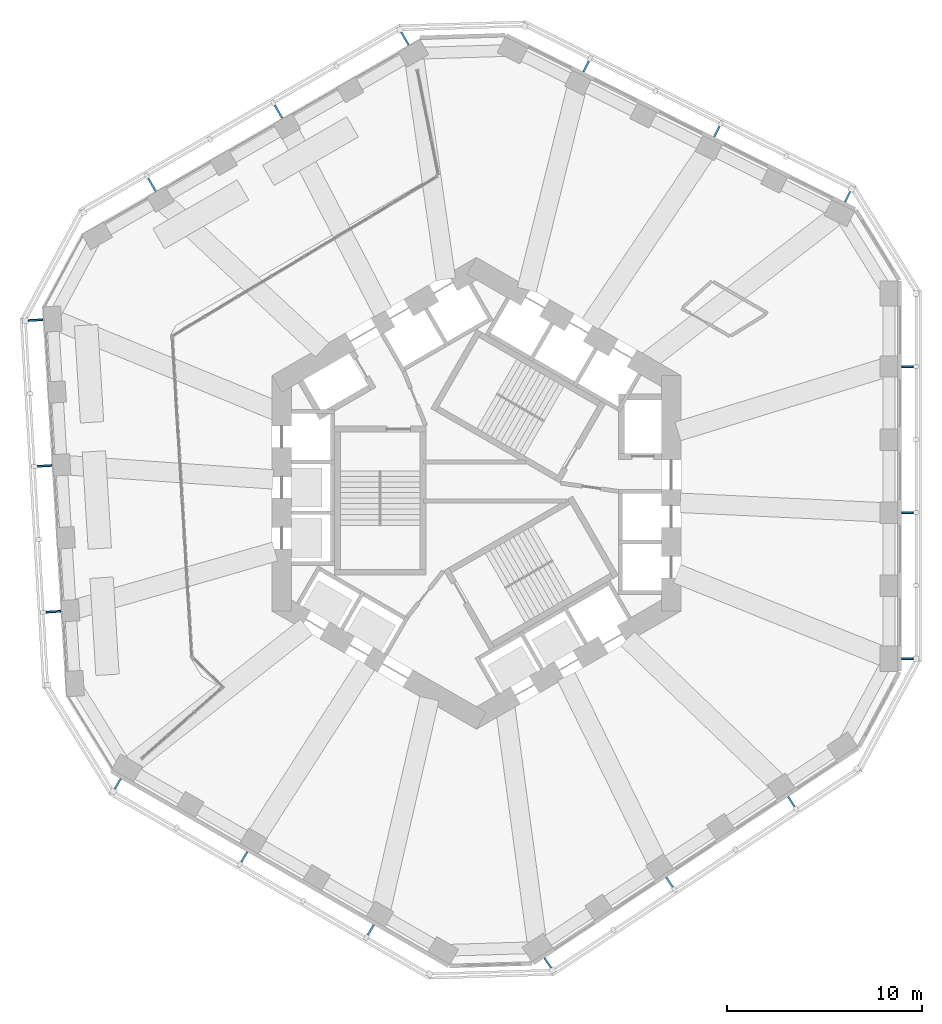
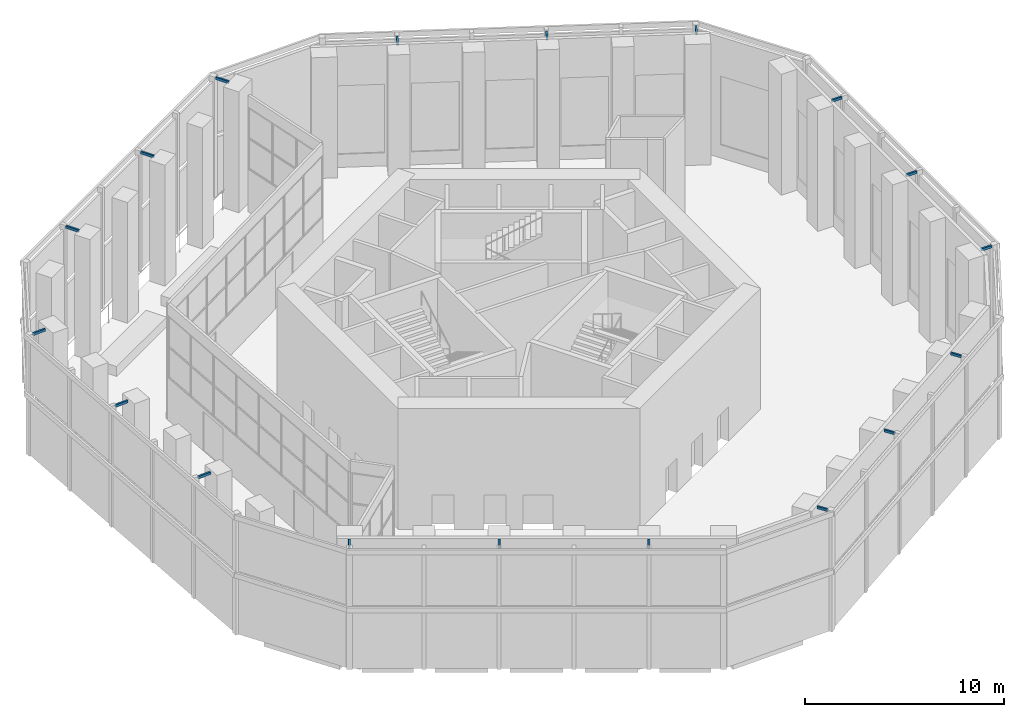
# One storey, part 15 of 19: 18 discrete accessories.
"""IFC4 building model written with IfcOpenShell, lengths in metres."""

from ifc_helpers import new_model, si_unit, direction, frame, origin, origin_2d, place, context, subcontext, project, spatial, rectangle, extrude, material, type_object, element, save


model = new_model("IFC4")

# Units and contexts
model_context = context("Model", 3, precision=1e-05, world=origin(), true_north=direction((0.0, 1.0)))
body_context = subcontext(model_context, "Body", "Model", "MODEL_VIEW")
ifc_project = project(units=[si_unit("LENGTHUNIT", "METRE"), si_unit("AREAUNIT", "SQUARE_METRE"), si_unit("VOLUMEUNIT", "CUBIC_METRE"), si_unit("PLANEANGLEUNIT", "RADIAN"), si_unit("MASSUNIT", "GRAM", prefix="KILO")], contexts=[model_context])

# Site, building, storey
site_placement = place(None, origin())
site = spatial("IfcSite", under=ifc_project, at=site_placement, CompositionType="ELEMENT")
building_placement = place(site_placement, origin())
building = spatial("IfcBuilding", under=site, at=building_placement, Name="Vanh Sen Convention Tower", CompositionType="ELEMENT")
storey_placement = place(building_placement, frame((0.0, 0.0, 139.199951171875)))
storey = spatial("IfcBuildingStorey", under=building, at=storey_placement, Name="L34", CompositionType="ELEMENT", Elevation=139.199951171875)

# Discrete accessories
ifc_material = material(Name="Steel S355", Category="steel")
discrete_accessory_type = type_object("IfcDiscreteAccessoryType", Name="Fin bracket 100 x 150", PredefinedType="BRACKET", material=ifc_material)
for number, where, z_axis, x_axis, name in (
    (1, (22.14990234375, -8.5009765625, 7.2001953125), (0.0, 0.0, 1.0), (1.0, 0.0, 0.0), "Fin bracket E-1 L34"),
    (2, (22.14990234375, -0.992919921875, 7.2001953125), (0.0, 0.0, 1.0), (1.0, 0.0, 0.0), "Fin bracket E-3 L34"),
    (3, (22.14990234375, 6.515380859375, 7.2001953125), (0.0, 0.0, 1.0), (1.0, 0.0, 0.0), "Fin bracket E-5 L34"),
    (4, (19.073974609375, 15.240478515625, 7.2001953125), (0.0, 0.0, 1.0), (0.44619781311, 0.894934361602, 0.0), "Fin bracket NE-1 L34"),
    (5, (12.3544921875, 18.5908203125, 7.2001953125), (0.0, 0.0, 1.0), (0.44619781311, 0.894934361602, 0.0), "Fin bracket NE-3 L34"),
    (6, (5.635009765625, 21.94091796875, 7.2001953125), (0.0, 0.0, 1.0), (0.44619781311, 0.894934361602, 0.0), "Fin bracket NE-5 L34"),
):
    element("IfcDiscreteAccessory", number, at=place(storey_placement, frame(where, z_axis=z_axis, x_axis=x_axis)), inside=storey, type_object=discrete_accessory_type, Name=name, PredefinedType="BRACKET", context=body_context, shape_type="SweptSolid", body=[
        extrude(rectangle(XDim=0.60009765625, YDim=0.10009765625, at=origin_2d()), origin(), (0.0, 0.0, 1.0), 0.14990234375),
    ])
for number, where, z_axis, x_axis, name in (
    (7, (-3.67529296875, 23.367919921875, 7.2001953125), (0.0, 0.0, 1.0), (-0.5, 0.866025403784, 0.0), "Fin bracket NW-1 L34"),
    (8, (-10.177734375, 19.614013671875, 7.2001953125), (0.0, 0.0, 1.0), (-0.5, 0.866025403784, 0.0), "Fin bracket NW-3 L34"),
    (9, (-16.679931640625, 15.85986328125, 7.2001953125), (0.0, 0.0, 1.0), (-0.5, 0.866025403784, 0.0), "Fin bracket NW-5 L34"),
    (10, (-22.660888671875, 8.90283203125, 7.2001953125), (0.0, 0.0, 1.0), (-0.998134798422, -0.061048539535, 0.0), "Fin bracket W-1 L34"),
    (11, (-22.202392578125, 1.408447265625, 7.2001953125), (0.0, 0.0, 1.0), (-0.998134798422, -0.061048539535, 0.0), "Fin bracket W-3 L34"),
    (12, (-21.744140625, -6.085693359375, 7.2001953125), (0.0, 0.0, 1.0), (-0.998134798422, -0.061048539535, 0.0), "Fin bracket W-5 L34"),
):
    element("IfcDiscreteAccessory", number, at=place(storey_placement, frame(where, z_axis=z_axis, x_axis=x_axis)), inside=storey, type_object=discrete_accessory_type, Name=name, PredefinedType="BRACKET", context=body_context, shape_type="SweptSolid", body=[
        extrude(rectangle(XDim=0.75, YDim=0.10009765625, at=origin_2d()), origin(), (0.0, 0.0, 1.0), 0.14990234375),
    ])
for number, where, z_axis, x_axis, name in (
    (13, (-18.43701171875, -14.931884765625, 7.2001953125), (0.0, 0.0, 1.0), (-0.5, -0.866025403784, 0.0), "Fin bracket SW-1 L34"),
    (14, (-11.934814453125, -18.68603515625, 7.2001953125), (0.0, 0.0, 1.0), (-0.5, -0.866025403784, 0.0), "Fin bracket SW-3 L34"),
    (15, (-5.4326171875, -22.440185546875, 7.2001953125), (0.0, 0.0, 1.0), (-0.5, -0.866025403784, 0.0), "Fin bracket SW-5 L34"),
    (16, (3.66162109375, -24.138671875, 7.2001953125), (0.0, 0.0, 1.0), (0.551936985312, -0.833885822067, 0.0), "Fin bracket SE-1 L34"),
    (17, (9.922607421875, -19.99462890625, 7.2001953125), (0.0, 0.0, 1.0), (0.551936985312, -0.833885822067, 0.0), "Fin bracket SE-3 L34"),
    (18, (16.18359375, -15.8505859375, 7.2001953125), (0.0, 0.0, 1.0), (0.551936985312, -0.833885822067, 0.0), "Fin bracket SE-5 L34"),
):
    element("IfcDiscreteAccessory", number, at=place(storey_placement, frame(where, z_axis=z_axis, x_axis=x_axis)), inside=storey, type_object=discrete_accessory_type, Name=name, PredefinedType="BRACKET", context=body_context, shape_type="SweptSolid", body=[
        extrude(rectangle(XDim=0.60009765625, YDim=0.10009765625, at=origin_2d()), origin(), (0.0, 0.0, 1.0), 0.14990234375),
    ])

save(model, "model.ifc")
